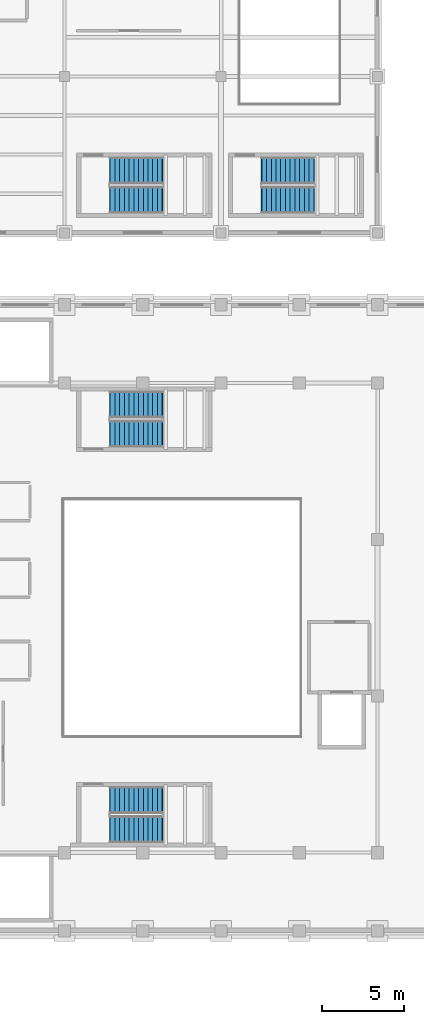
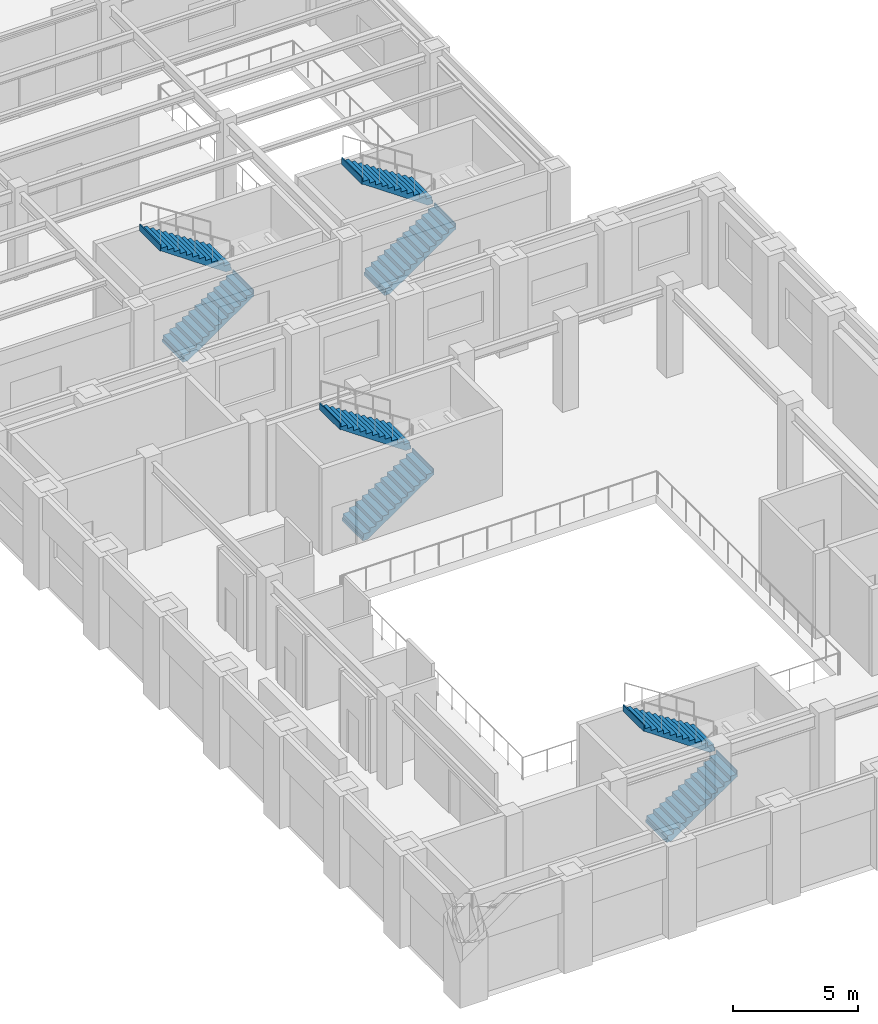
# One storey, part 35 of 46: 8 stair flights, 4 elements without a shape of their own.
"""IFC4 building model written with IfcOpenShell, lengths in metres."""

from ifc_helpers import new_model, si_unit, direction, frame, origin, place, context, subcontext, project, spatial, polyline, outline, extrude, material, type_object, element, aggregate, save


model = new_model("IFC4")

# Units and contexts
model_context = context("Model", 3, precision=1e-05, world=origin(), true_north=direction((0.0, 1.0)))
body_context = subcontext(model_context, "Body", "Model", "MODEL_VIEW")
ifc_project = project(units=[si_unit("LENGTHUNIT", "METRE"), si_unit("AREAUNIT", "SQUARE_METRE"), si_unit("VOLUMEUNIT", "CUBIC_METRE"), si_unit("PLANEANGLEUNIT", "RADIAN"), si_unit("MASSUNIT", "GRAM", prefix="KILO")], contexts=[model_context])

# Site, building, storey
site_placement = place(None, origin())
site = spatial("IfcSite", under=ifc_project, at=site_placement, CompositionType="ELEMENT")
building_placement = place(site_placement, origin())
building = spatial("IfcBuilding", under=site, at=building_placement, Name="Mavantir Sound Aquarium", CompositionType="ELEMENT")
storey_placement = place(building_placement, frame((0.0, 0.0, 15.300048828125)))
storey = spatial("IfcBuildingStorey", under=building, at=storey_placement, Name="L03", CompositionType="ELEMENT", Elevation=15.300048828125)

# Stair, stair flights
ifc_material = material(Name="Concrete C40/50", Category="concrete")
stair_type = type_object("IfcStairType", Name="STR-1650-4500", PredefinedType="HALF_TURN_STAIR", material=ifc_material)
stair_1_placement = place(storey_placement, origin())
stair_1 = element("IfcStair", 1, at=stair_1_placement, inside=storey, type_object=stair_type, Name="L03 Protected exit stair ST9", PredefinedType="HALF_TURN_STAIR")
stair_flight_type = type_object("IfcStairFlightType", Name="STF-1650-4500", PredefinedType="STRAIGHT", material=ifc_material)
stair_flight_1_placement = place(storey_placement, frame((12.39990234375, 47.02490234375, 0.0), z_axis=(0.0, 0.0, 1.0), x_axis=(1.0, 0.0, 0.0)))
stair_flight_1 = element("IfcStairFlight", 2, at=stair_flight_1_placement, type_object=stair_flight_type, Name="ST9 flight 1", NumberOfRisers=12, NumberOfTreads=11, PredefinedType="STRAIGHT", RiserHeight=0.1875, TreadLength=0.29, context=body_context, shape_type="SweptSolid", body=[
    extrude(outline(polyline([(-0.044921875, -0.139892578125), (-0.044921875, 0.0), (0.0, 0.0), (0.0, 0.1875), (0.2900390625, 0.1875), (0.2900390625, 0.375), (0.580078125, 0.375), (0.580078125, 0.5625), (0.8701171875, 0.5625), (0.8701171875, 0.75), (1.159912109375, 0.75), (1.159912109375, 0.9375), (1.449951171875, 0.9375), (1.449951171875, 1.125), (1.739990234375, 1.125), (1.739990234375, 1.3125), (2.030029296875, 1.3125), (2.030029296875, 1.5), (2.320068359375, 1.5), (2.320068359375, 1.6875), (2.610107421875, 1.6875), (2.610107421875, 1.875), (2.89990234375, 1.875), (2.89990234375, 2.0625), (3.18994140625, 2.0625), (3.18994140625, 2.25), (3.235107421875, 2.25), (3.235107421875, 1.929931640625), (3.18994140625, 1.929931640625), (0.204833984375, -0.139892578125), (-0.044921875, -0.139892578125)])), frame((0.0, 0.824951171875, 0.0), z_axis=(0.0, -1.0, 0.0), x_axis=(1.0, 0.0, 0.0)), (0.0, 0.0, 1.0), 1.64990234375),
])
stair_flight_2_placement = place(storey_placement, frame((15.590087890625, 48.824951171875, 2.25), z_axis=(0.0, 0.0, 1.0), x_axis=(-1.0, 0.0, 0.0)))
stair_flight_2 = element("IfcStairFlight", 3, at=stair_flight_2_placement, type_object=stair_flight_type, Name="ST9 flight 2", NumberOfRisers=12, NumberOfTreads=11, PredefinedType="STRAIGHT", RiserHeight=0.1875, TreadLength=0.29, context=body_context, shape_type="SweptSolid", body=[
    extrude(outline(polyline([(-0.044921875, -0.139892578125), (-0.044921875, 0.0), (0.0, 0.0), (0.0, 0.1875), (0.2900390625, 0.1875), (0.2900390625, 0.375), (0.580078125, 0.375), (0.580078125, 0.5625), (0.8701171875, 0.5625), (0.8701171875, 0.75), (1.159912109375, 0.75), (1.159912109375, 0.9375), (1.449951171875, 0.9375), (1.449951171875, 1.125), (1.739990234375, 1.125), (1.739990234375, 1.3125), (2.030029296875, 1.3125), (2.030029296875, 1.5), (2.320068359375, 1.5), (2.320068359375, 1.6875), (2.610107421875, 1.6875), (2.610107421875, 1.875), (2.89990234375, 1.875), (2.89990234375, 2.0625), (3.18994140625, 2.0625), (3.18994140625, 2.25), (3.235107421875, 2.25), (3.235107421875, 1.929931640625), (3.18994140625, 1.929931640625), (0.204833984375, -0.139892578125), (-0.044921875, -0.139892578125)])), frame((0.0, 0.824951171875, 0.0), z_axis=(0.0, -1.0, 0.0), x_axis=(1.0, 0.0, 0.0)), (0.0, 0.0, 1.0), 1.64990234375),
])
aggregate(stair_1, [stair_flight_1, stair_flight_2])

stair_2_placement = place(storey_placement, origin())
stair_2 = element("IfcStair", 4, at=stair_2_placement, inside=storey, type_object=stair_type, Name="L03 Protected exit stair ST10", PredefinedType="HALF_TURN_STAIR")
stair_flight_3_placement = place(storey_placement, frame((12.39990234375, 71.27490234375, 0.0), z_axis=(0.0, 0.0, 1.0), x_axis=(1.0, 0.0, 0.0)))
stair_flight_3 = element("IfcStairFlight", 5, at=stair_flight_3_placement, type_object=stair_flight_type, Name="ST10 flight 1", NumberOfRisers=12, NumberOfTreads=11, PredefinedType="STRAIGHT", RiserHeight=0.1875, TreadLength=0.29, context=body_context, shape_type="SweptSolid", body=[
    extrude(outline(polyline([(-0.044921875, -0.139892578125), (-0.044921875, 0.0), (0.0, 0.0), (0.0, 0.1875), (0.2900390625, 0.1875), (0.2900390625, 0.375), (0.580078125, 0.375), (0.580078125, 0.5625), (0.8701171875, 0.5625), (0.8701171875, 0.75), (1.159912109375, 0.75), (1.159912109375, 0.9375), (1.449951171875, 0.9375), (1.449951171875, 1.125), (1.739990234375, 1.125), (1.739990234375, 1.3125), (2.030029296875, 1.3125), (2.030029296875, 1.5), (2.320068359375, 1.5), (2.320068359375, 1.6875), (2.610107421875, 1.6875), (2.610107421875, 1.875), (2.89990234375, 1.875), (2.89990234375, 2.0625), (3.18994140625, 2.0625), (3.18994140625, 2.25), (3.235107421875, 2.25), (3.235107421875, 1.929931640625), (3.18994140625, 1.929931640625), (0.204833984375, -0.139892578125), (-0.044921875, -0.139892578125)])), frame((0.0, 0.824951171875, 0.0), z_axis=(0.0, -1.0, 0.0), x_axis=(1.0, 0.0, 0.0)), (0.0, 0.0, 1.0), 1.64990234375),
])
stair_flight_4_placement = place(storey_placement, frame((15.590087890625, 73.074951171875, 2.25), z_axis=(0.0, 0.0, 1.0), x_axis=(-1.0, 0.0, 0.0)))
stair_flight_4 = element("IfcStairFlight", 6, at=stair_flight_4_placement, type_object=stair_flight_type, Name="ST10 flight 2", NumberOfRisers=12, NumberOfTreads=11, PredefinedType="STRAIGHT", RiserHeight=0.1875, TreadLength=0.29, context=body_context, shape_type="SweptSolid", body=[
    extrude(outline(polyline([(-0.044921875, -0.139892578125), (-0.044921875, 0.0), (0.0, 0.0), (0.0, 0.1875), (0.2900390625, 0.1875), (0.2900390625, 0.375), (0.580078125, 0.375), (0.580078125, 0.5625), (0.8701171875, 0.5625), (0.8701171875, 0.75), (1.159912109375, 0.75), (1.159912109375, 0.9375), (1.449951171875, 0.9375), (1.449951171875, 1.125), (1.739990234375, 1.125), (1.739990234375, 1.3125), (2.030029296875, 1.3125), (2.030029296875, 1.5), (2.320068359375, 1.5), (2.320068359375, 1.6875), (2.610107421875, 1.6875), (2.610107421875, 1.875), (2.89990234375, 1.875), (2.89990234375, 2.0625), (3.18994140625, 2.0625), (3.18994140625, 2.25), (3.235107421875, 2.25), (3.235107421875, 1.929931640625), (3.18994140625, 1.929931640625), (0.204833984375, -0.139892578125), (-0.044921875, -0.139892578125)])), frame((0.0, 0.824951171875, 0.0), z_axis=(0.0, -1.0, 0.0), x_axis=(1.0, 0.0, 0.0)), (0.0, 0.0, 1.0), 1.64990234375),
])
aggregate(stair_2, [stair_flight_3, stair_flight_4])

stair_3_placement = place(storey_placement, origin())
stair_3 = element("IfcStair", 7, at=stair_3_placement, inside=storey, type_object=stair_type, Name="L03 Protected exit stair ST5", PredefinedType="HALF_TURN_STAIR")
stair_flight_5_placement = place(storey_placement, frame((12.39990234375, 85.625, 0.0), z_axis=(0.0, 0.0, 1.0), x_axis=(1.0, 0.0, 0.0)))
stair_flight_5 = element("IfcStairFlight", 8, at=stair_flight_5_placement, type_object=stair_flight_type, Name="ST5 flight 1", NumberOfRisers=12, NumberOfTreads=11, PredefinedType="STRAIGHT", RiserHeight=0.1875, TreadLength=0.29, context=body_context, shape_type="SweptSolid", body=[
    extrude(outline(polyline([(-0.044921875, -0.139892578125), (-0.044921875, 0.0), (0.0, 0.0), (0.0, 0.1875), (0.2900390625, 0.1875), (0.2900390625, 0.375), (0.580078125, 0.375), (0.580078125, 0.5625), (0.8701171875, 0.5625), (0.8701171875, 0.75), (1.159912109375, 0.75), (1.159912109375, 0.9375), (1.449951171875, 0.9375), (1.449951171875, 1.125), (1.739990234375, 1.125), (1.739990234375, 1.3125), (2.030029296875, 1.3125), (2.030029296875, 1.5), (2.320068359375, 1.5), (2.320068359375, 1.6875), (2.610107421875, 1.6875), (2.610107421875, 1.875), (2.89990234375, 1.875), (2.89990234375, 2.0625), (3.18994140625, 2.0625), (3.18994140625, 2.25), (3.235107421875, 2.25), (3.235107421875, 1.929931640625), (3.18994140625, 1.929931640625), (0.204833984375, -0.139892578125), (-0.044921875, -0.139892578125)])), frame((0.0, 0.824951171875, 0.0), z_axis=(0.0, -1.0, 0.0), x_axis=(1.0, 0.0, 0.0)), (0.0, 0.0, 1.0), 1.64990234375),
])
stair_flight_6_placement = place(storey_placement, frame((15.590087890625, 87.425048828125, 2.25), z_axis=(0.0, 0.0, 1.0), x_axis=(-1.0, 0.0, 0.0)))
stair_flight_6 = element("IfcStairFlight", 9, at=stair_flight_6_placement, type_object=stair_flight_type, Name="ST5 flight 2", NumberOfRisers=12, NumberOfTreads=11, PredefinedType="STRAIGHT", RiserHeight=0.1875, TreadLength=0.29, context=body_context, shape_type="SweptSolid", body=[
    extrude(outline(polyline([(-0.044921875, -0.139892578125), (-0.044921875, 0.0), (0.0, 0.0), (0.0, 0.1875), (0.2900390625, 0.1875), (0.2900390625, 0.375), (0.580078125, 0.375), (0.580078125, 0.5625), (0.8701171875, 0.5625), (0.8701171875, 0.75), (1.159912109375, 0.75), (1.159912109375, 0.9375), (1.449951171875, 0.9375), (1.449951171875, 1.125), (1.739990234375, 1.125), (1.739990234375, 1.3125), (2.030029296875, 1.3125), (2.030029296875, 1.5), (2.320068359375, 1.5), (2.320068359375, 1.6875), (2.610107421875, 1.6875), (2.610107421875, 1.875), (2.89990234375, 1.875), (2.89990234375, 2.0625), (3.18994140625, 2.0625), (3.18994140625, 2.25), (3.235107421875, 2.25), (3.235107421875, 1.929931640625), (3.18994140625, 1.929931640625), (0.204833984375, -0.139892578125), (-0.044921875, -0.139892578125)])), frame((0.0, 0.824951171875, 0.0), z_axis=(0.0, -1.0, 0.0), x_axis=(1.0, 0.0, 0.0)), (0.0, 0.0, 1.0), 1.64990234375),
])
aggregate(stair_3, [stair_flight_5, stair_flight_6])

stair_4_placement = place(storey_placement, origin())
stair_4 = element("IfcStair", 10, at=stair_4_placement, inside=storey, type_object=stair_type, Name="L03 Protected exit stair ST7", PredefinedType="HALF_TURN_STAIR")
stair_flight_7_placement = place(storey_placement, frame((21.699951171875, 85.625, 0.0), z_axis=(0.0, 0.0, 1.0), x_axis=(1.0, 0.0, 0.0)))
stair_flight_7 = element("IfcStairFlight", 11, at=stair_flight_7_placement, type_object=stair_flight_type, Name="ST7 flight 1", NumberOfRisers=12, NumberOfTreads=11, PredefinedType="STRAIGHT", RiserHeight=0.1875, TreadLength=0.29, context=body_context, shape_type="SweptSolid", body=[
    extrude(outline(polyline([(-0.044921875, -0.139892578125), (-0.044921875, 0.0), (0.0, 0.0), (0.0, 0.1875), (0.2900390625, 0.1875), (0.2900390625, 0.375), (0.580078125, 0.375), (0.580078125, 0.5625), (0.8701171875, 0.5625), (0.8701171875, 0.75), (1.159912109375, 0.75), (1.159912109375, 0.9375), (1.449951171875, 0.9375), (1.449951171875, 1.125), (1.739990234375, 1.125), (1.739990234375, 1.3125), (2.030029296875, 1.3125), (2.030029296875, 1.5), (2.320068359375, 1.5), (2.320068359375, 1.6875), (2.610107421875, 1.6875), (2.610107421875, 1.875), (2.89990234375, 1.875), (2.89990234375, 2.0625), (3.18994140625, 2.0625), (3.18994140625, 2.25), (3.235107421875, 2.25), (3.235107421875, 1.929931640625), (3.18994140625, 1.929931640625), (0.204833984375, -0.139892578125), (-0.044921875, -0.139892578125)])), frame((0.0, 0.824951171875, 0.0), z_axis=(0.0, -1.0, 0.0), x_axis=(1.0, 0.0, 0.0)), (0.0, 0.0, 1.0), 1.64990234375),
])
stair_flight_8_placement = place(storey_placement, frame((24.889892578125, 87.425048828125, 2.25), z_axis=(0.0, 0.0, 1.0), x_axis=(-1.0, 0.0, 0.0)))
stair_flight_8 = element("IfcStairFlight", 12, at=stair_flight_8_placement, type_object=stair_flight_type, Name="ST7 flight 2", NumberOfRisers=12, NumberOfTreads=11, PredefinedType="STRAIGHT", RiserHeight=0.1875, TreadLength=0.29, context=body_context, shape_type="SweptSolid", body=[
    extrude(outline(polyline([(-0.044921875, -0.139892578125), (-0.044921875, 0.0), (0.0, 0.0), (0.0, 0.1875), (0.2900390625, 0.1875), (0.2900390625, 0.375), (0.580078125, 0.375), (0.580078125, 0.5625), (0.8701171875, 0.5625), (0.8701171875, 0.75), (1.159912109375, 0.75), (1.159912109375, 0.9375), (1.449951171875, 0.9375), (1.449951171875, 1.125), (1.739990234375, 1.125), (1.739990234375, 1.3125), (2.030029296875, 1.3125), (2.030029296875, 1.5), (2.320068359375, 1.5), (2.320068359375, 1.6875), (2.610107421875, 1.6875), (2.610107421875, 1.875), (2.89990234375, 1.875), (2.89990234375, 2.0625), (3.18994140625, 2.0625), (3.18994140625, 2.25), (3.235107421875, 2.25), (3.235107421875, 1.929931640625), (3.18994140625, 1.929931640625), (0.204833984375, -0.139892578125), (-0.044921875, -0.139892578125)])), frame((0.0, 0.824951171875, 0.0), z_axis=(0.0, -1.0, 0.0), x_axis=(1.0, 0.0, 0.0)), (0.0, 0.0, 1.0), 1.64990234375),
])
aggregate(stair_4, [stair_flight_7, stair_flight_8])

save(model, "model.ifc")
